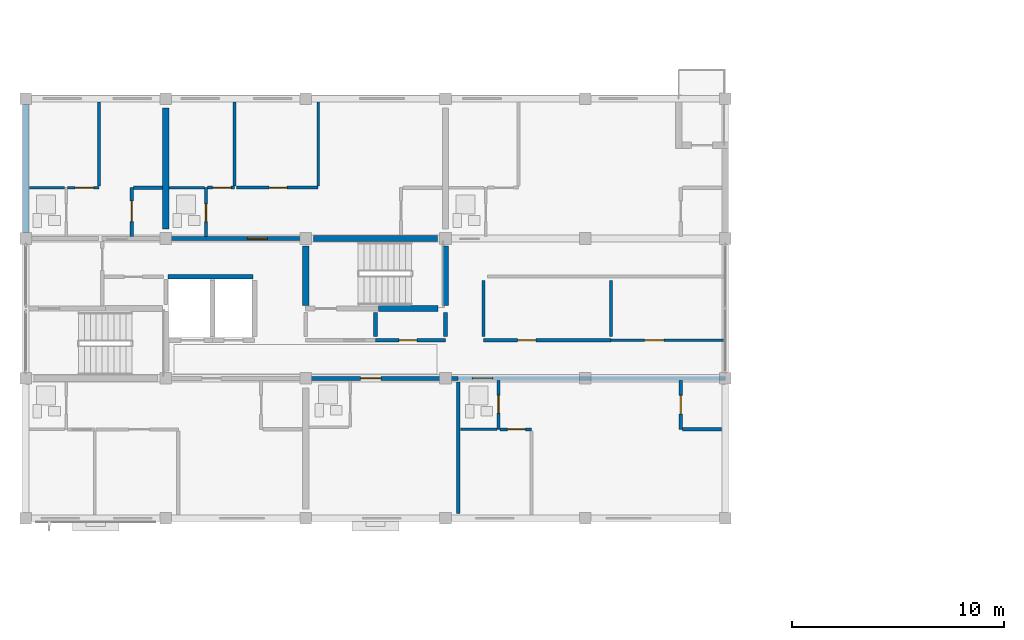
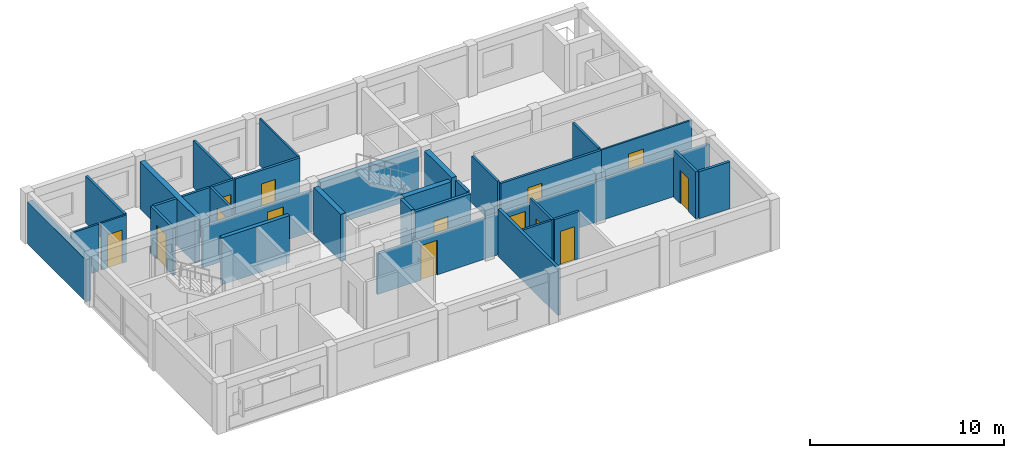
# One storey, part 35 of 53: 34 walls, 14 doors, 14 openings.
"""IFC4 building model written with IfcOpenShell, lengths in metres."""

from ifc_helpers import new_model, si_unit, direction, frame, frame_2d, origin, place, context, subcontext, project, spatial, rectangle, extrude, material, layer, layer_set, type_object, element, fill, save


model = new_model("IFC4")

# Units and contexts
model_context = context("Model", 3, precision=1e-05, world=origin(), true_north=direction((0.0, 1.0)))
body_context = subcontext(model_context, "Body", "Model", "MODEL_VIEW")
ifc_project = project(units=[si_unit("LENGTHUNIT", "METRE"), si_unit("AREAUNIT", "SQUARE_METRE"), si_unit("VOLUMEUNIT", "CUBIC_METRE"), si_unit("PLANEANGLEUNIT", "RADIAN"), si_unit("MASSUNIT", "GRAM", prefix="KILO")], contexts=[model_context])

# Site, building, storey
site_placement = place(None, origin())
site = spatial("IfcSite", under=ifc_project, at=site_placement, CompositionType="ELEMENT")
building_placement = place(site_placement, origin())
building = spatial("IfcBuilding", under=site, at=building_placement, Name="Kernevlak Ridge Housing Community", CompositionType="ELEMENT")
storey_placement = place(building_placement, frame((0.0, 0.0, 18.0)))
storey = spatial("IfcBuildingStorey", under=building, at=storey_placement, Name="L05", CompositionType="ELEMENT", Elevation=18.0)

# Walls
ifc_material_1 = material(Name="Concrete block masonry M10", Category="masonry")
ifc_layer_1 = layer(ifc_material_1, 0.320068359375, Name="Concrete block masonry M10")
ifc_layer_set_1 = layer_set([ifc_layer_1], Name="Concrete block masonry M10")
wall_type_1 = type_object("IfcWallType", Name="EW-02", PredefinedType="STANDARD", material=ifc_layer_set_1)
wall_1_placement = place(storey_placement, frame((15.60009765625, 89.47509765625, 0.0), z_axis=(0.0, 0.0, 1.0), x_axis=(0.0, 1.0, 0.0)))
element("IfcWall", 1, at=wall_1_placement, inside=storey, type_object=wall_type_1, Name="Exterior wall EW-02 L05 90", PredefinedType="STANDARD", context=body_context, shape_type="SweptSolid", body=[
    extrude(rectangle(XDim=6.0498046875, YDim=0.320068359375, at=frame_2d((3.02490234375, 0.0))), origin(), (0.0, 0.0, 1.0), 2.64990234375),
])
ifc_material_2 = material(Name="Concrete C35/45", Category="concrete")
ifc_layer_2 = layer(ifc_material_2, 0.22509765625, Name="Concrete C35/45")
ifc_layer_set_2 = layer_set([ifc_layer_2], Name="Concrete C35/45")
wall_type_2 = type_object("IfcWallType", Name="PW-01", PredefinedType="STANDARD", material=ifc_layer_set_2)
wall_2_placement = place(storey_placement, frame((22.297607421875, 87.39990234375, 0.0), z_axis=(0.0, 0.0, 1.0), x_axis=(1.0, 0.0, 0.0)))
element("IfcWall", 2, at=wall_2_placement, inside=storey, type_object=wall_type_2, Name="Interior wall PW-01 WAL-INT-L05-0315", PredefinedType="STANDARD", context=body_context, shape_type="SweptSolid", body=[
    extrude(rectangle(XDim=4.0224609375, YDim=0.22509765625, at=frame_2d((2.01123046875, 0.0))), origin(), (0.0, 0.0, 1.0), 2.9599609375),
])

# Wall, opening, door
ifc_layer_3 = layer(ifc_material_1, 0.175048828125, Name="Concrete block masonry M10")
ifc_layer_set_3 = layer_set([ifc_layer_3], Name="Concrete block masonry M10")
wall_type_3 = type_object("IfcWallType", Name="PW-02", PredefinedType="PARTITIONING", material=ifc_layer_set_3)
wall_3_placement = place(storey_placement, frame((32.10009765625, 84.39990234375, 0.0), z_axis=(0.0, 0.0, 1.0), x_axis=(1.0, 0.0, 0.0)))
wall_3 = element("IfcWall", 3, at=wall_3_placement, inside=storey, type_object=wall_type_3, Name="Interior wall PW-02 WAL-INT-L05-0321", PredefinedType="PARTITIONING", context=body_context, shape_type="SweptSolid", body=[
    extrude(rectangle(XDim=3.2998046875, YDim=0.175048828125, at=frame_2d((1.64990234375, 0.0))), origin(), (0.0, 0.0, 1.0), 2.9599609375),
])
opening_1_placement = place(wall_3_placement, frame((1.10009765625, 0.0, 0.0)))
opening_1 = element("IfcOpeningElement", 4, at=opening_1_placement, cuts=wall_3, Name="Opening D161", PredefinedType="OPENING", context=body_context, shape_type="SweptSolid", body=[
    extrude(rectangle(XDim=0.85009765625, YDim=2.0, at=frame_2d((0.425048828125, 1.0))), frame((0.0, 0.097412109375, 0.0), z_axis=(0.0, -1.0, 0.0), x_axis=(1.0, 0.0, 0.0)), (0.0, 0.0, 1.0), 0.195068359375),
])
ifc_material_3 = material(Name="Fire-rated sheet steel leaf", Category="steel")
door_type_1 = type_object("IfcDoorType", Name="DT-07", OperationType="NOTDEFINED", PredefinedType="DOOR", material=ifc_material_3)
door_1_placement = place(opening_1_placement, origin())
door_1 = element("IfcDoor", 5, at=door_1_placement, inside=storey, type_object=door_type_1, Name="Block A Cleaner store door D161", OperationType="SINGLE_SWING_LEFT", OverallHeight=2.0, OverallWidth=0.85009765625, PredefinedType="DOOR", context=body_context, shape_type="SweptSolid", body=[
    extrude(rectangle(XDim=0.85009765625, YDim=2.0, at=frame_2d((0.425048828125, 1.0))), frame((0.0, 0.02490234375, 0.0), z_axis=(0.0, -1.0, 0.0), x_axis=(1.0, 0.0, 0.0)), (0.0, 0.0, 1.0), 0.050048828125),
])
fill(opening_1, door_1)

# Walls
for number, where, z_axis, x_axis, name in (
    (6, (32.10009765625, 84.580078125, 0.0), (0.0, 0.0, 1.0), (0.0, 1.0, 0.0), "Interior wall PW-02 WAL-INT-L05-0323"),
    (7, (35.39990234375, 84.580078125, 0.0), (0.0, 0.0, 1.0), (0.0, 1.0, 0.0), "Interior wall PW-02 WAL-INT-L05-0324"),
):
    element("IfcWall", number, at=place(storey_placement, frame(where, z_axis=z_axis, x_axis=x_axis)), inside=storey, type_object=wall_type_3, Name=name, PredefinedType="PARTITIONING", context=body_context, shape_type="SweptSolid", body=[
        extrude(rectangle(XDim=1.139892578125, YDim=0.175048828125, at=frame_2d((0.56982421875, 0.0))), origin(), (0.0, 0.0, 1.0), 2.9599609375),
    ])

# Wall, opening, door
wall_4_placement = place(storey_placement, frame((28.800048828125, 82.60009765625, 0.0), z_axis=(0.0, 0.0, 1.0), x_axis=(1.0, 0.0, 0.0)))
wall_4 = element("IfcWall", 8, at=wall_4_placement, inside=storey, type_object=wall_type_3, Name="Interior wall PW-02 WAL-INT-L05-0339", PredefinedType="PARTITIONING", context=body_context, shape_type="SweptSolid", body=[
    extrude(rectangle(XDim=7.199951171875, YDim=0.175048828125, at=frame_2d((3.60009765625, 0.0))), origin(), (0.0, 0.0, 1.0), 2.550048828125),
])
opening_2_placement = place(wall_4_placement, frame((2.60009765625, 0.0, 0.0)))
opening_2 = element("IfcOpeningElement", 9, at=opening_2_placement, cuts=wall_4, Name="Opening D169", PredefinedType="OPENING", context=body_context, shape_type="SweptSolid", body=[
    extrude(rectangle(XDim=0.9599609375, YDim=2.179931640625, at=frame_2d((0.47998046875, 1.08984375))), frame((0.0, 0.097412109375, 0.0), z_axis=(0.0, -1.0, 0.0), x_axis=(1.0, 0.0, 0.0)), (0.0, 0.0, 1.0), 0.195068359375),
])
ifc_material_4 = material(Name="Hardwood timber solid-core fire leaf", Category="wood")
door_type_2 = type_object("IfcDoorType", Name="DT-29", OperationType="NOTDEFINED", PredefinedType="DOOR", material=ifc_material_4)
door_2_placement = place(opening_2_placement, origin())
door_2 = element("IfcDoor", 10, at=door_2_placement, inside=storey, type_object=door_type_2, Name="Flat A0512 entrance fire door D169", OperationType="SINGLE_SWING_LEFT", OverallHeight=2.179931640625, OverallWidth=0.9599609375, PredefinedType="DOOR", context=body_context, shape_type="SweptSolid", body=[
    extrude(rectangle(XDim=0.9599609375, YDim=2.179931640625, at=frame_2d((0.47998046875, 1.08984375))), frame((0.0, 0.02490234375, 0.0), z_axis=(0.0, -1.0, 0.0), x_axis=(1.0, 0.0, 0.0)), (0.0, 0.0, 1.0), 0.050048828125),
])
fill(opening_2, door_2)

# Wall
wall_5_placement = place(storey_placement, frame((36.0, 82.419921875, 0.0), z_axis=(0.0, 0.0, 1.0), x_axis=(0.0, -1.0, 0.0)))
element("IfcWall", 11, at=wall_5_placement, inside=storey, type_object=wall_type_3, Name="Interior wall PW-02 WAL-INT-L05-0342", PredefinedType="PARTITIONING", context=body_context, shape_type="SweptSolid", body=[
    extrude(rectangle(XDim=6.18994140625, YDim=0.175048828125, at=frame_2d((3.094970703125, 0.0))), origin(), (0.0, 0.0, 1.0), 2.9599609375),
])

# Wall, opening, door
wall_6_placement = place(storey_placement, frame((36.0, 82.60009765625, 0.0), z_axis=(0.0, 0.0, 1.0), x_axis=(1.0, 0.0, 0.0)))
wall_6 = element("IfcWall", 12, at=wall_6_placement, inside=storey, type_object=wall_type_3, Name="Interior wall PW-02 WAL-INT-L05-0343", PredefinedType="PARTITIONING", context=body_context, shape_type="SweptSolid", body=[
    extrude(rectangle(XDim=12.60009765625, YDim=0.175048828125, at=frame_2d((6.300048828125, 0.0))), origin(), (0.0, 0.0, 1.0), 2.550048828125),
])
opening_3_placement = place(wall_6_placement, frame((0.669921875, 0.0, 0.0)))
opening_3 = element("IfcOpeningElement", 13, at=opening_3_placement, cuts=wall_6, Name="Opening D171", PredefinedType="OPENING", context=body_context, shape_type="SweptSolid", body=[
    extrude(rectangle(XDim=0.949951171875, YDim=2.159912109375, at=frame_2d((0.47509765625, 1.080078125))), frame((0.0, 0.097412109375, 0.0), z_axis=(0.0, -1.0, 0.0), x_axis=(1.0, 0.0, 0.0)), (0.0, 0.0, 1.0), 0.195068359375),
])
door_type_3 = type_object("IfcDoorType", Name="DT-02", OperationType="NOTDEFINED", PredefinedType="DOOR", material=ifc_material_4)
door_3_placement = place(opening_3_placement, origin())
door_3 = element("IfcDoor", 14, at=door_3_placement, inside=storey, type_object=door_type_3, Name="Flat A0513 entrance fire door D171", OperationType="SINGLE_SWING_LEFT", OverallHeight=2.159912109375, OverallWidth=0.949951171875, PredefinedType="DOOR", context=body_context, shape_type="SweptSolid", body=[
    extrude(rectangle(XDim=0.949951171875, YDim=2.159912109375, at=frame_2d((0.47509765625, 1.080078125))), frame((0.0, 0.02490234375, 0.0), z_axis=(0.0, -1.0, 0.0), x_axis=(1.0, 0.0, 0.0)), (0.0, 0.0, 1.0), 0.050048828125),
])
fill(opening_3, door_3)

wall_7_placement = place(storey_placement, frame((22.199951171875, 89.199951171875, 0.0), z_axis=(0.0, 0.0, 1.0), x_axis=(1.0, 0.0, 0.0)))
wall_7 = element("IfcWall", 15, at=wall_7_placement, inside=storey, type_object=wall_type_3, Name="Interior wall PW-02 WAL-INT-L05-0358", PredefinedType="PARTITIONING", context=body_context, shape_type="SweptSolid", body=[
    extrude(rectangle(XDim=6.60009765625, YDim=0.175048828125, at=frame_2d((3.300048828125, 0.0))), origin(), (0.0, 0.0, 1.0), 2.550048828125),
])
opening_4_placement = place(wall_7_placement, frame((3.85009765625, 0.0, 0.0)))
opening_4 = element("IfcOpeningElement", 16, at=opening_4_placement, cuts=wall_7, Name="Opening D179", PredefinedType="OPENING", context=body_context, shape_type="SweptSolid", body=[
    extrude(rectangle(XDim=0.949951171875, YDim=2.159912109375, at=frame_2d((0.47509765625, 1.080078125))), frame((0.0, 0.097412109375, 0.0), z_axis=(0.0, -1.0, 0.0), x_axis=(1.0, 0.0, 0.0)), (0.0, 0.0, 1.0), 0.195068359375),
])
door_4_placement = place(opening_4_placement, origin())
door_4 = element("IfcDoor", 17, at=door_4_placement, inside=storey, type_object=door_type_3, Name="Flat A0522 entrance fire door D179", OperationType="SINGLE_SWING_LEFT", OverallHeight=2.159912109375, OverallWidth=0.949951171875, PredefinedType="DOOR", context=body_context, shape_type="SweptSolid", body=[
    extrude(rectangle(XDim=0.949951171875, YDim=2.159912109375, at=frame_2d((0.47509765625, 1.080078125))), frame((0.0, 0.02490234375, 0.0), z_axis=(0.0, -1.0, 0.0), x_axis=(1.0, 0.0, 0.0)), (0.0, 0.0, 1.0), 0.050048828125),
])
fill(opening_4, door_4)

ifc_layer_4 = layer(ifc_material_1, 0.14501953125, Name="Concrete block masonry M10")
ifc_layer_set_4 = layer_set([ifc_layer_4], Name="Concrete block masonry M10")
wall_type_4 = type_object("IfcWallType", Name="PW-03", PredefinedType="PARTITIONING", material=ifc_layer_set_4)
wall_8_placement = place(storey_placement, frame((37.199951171875, 84.39990234375, 0.0), z_axis=(0.0, 0.0, 1.0), x_axis=(1.0, 0.0, 0.0)))
wall_8 = element("IfcWall", 18, at=wall_8_placement, inside=storey, type_object=wall_type_4, Name="Interior wall PW-03 WAL-INT-L05-0325", PredefinedType="PARTITIONING", context=body_context, shape_type="SweptSolid", body=[
    extrude(rectangle(XDim=6.0, YDim=0.14501953125, at=frame_2d((3.0, 0.0))), origin(), (0.0, 0.0, 1.0), 2.9599609375),
])
opening_5_placement = place(wall_8_placement, frame((1.60009765625, 0.0, 0.0)))
opening_5 = element("IfcOpeningElement", 19, at=opening_5_placement, cuts=wall_8, Name="Opening D162", PredefinedType="OPENING", context=body_context, shape_type="SweptSolid", body=[
    extrude(rectangle(XDim=0.860107421875, YDim=2.1201171875, at=frame_2d((0.43017578125, 1.06005859375))), frame((0.0, 0.08251953125, 0.0), z_axis=(0.0, -1.0, 0.0), x_axis=(1.0, 0.0, 0.0)), (0.0, 0.0, 1.0), 0.1650390625),
])
ifc_material_5 = material(Name="Hardwood timber leaf", Category="wood")
door_type_4 = type_object("IfcDoorType", Name="DT-28", OperationType="NOTDEFINED", PredefinedType="DOOR", material=ifc_material_5)
door_5_placement = place(opening_5_placement, origin())
door_5 = element("IfcDoor", 20, at=door_5_placement, inside=storey, type_object=door_type_4, Name="Block A Laundry room door D162", OperationType="SINGLE_SWING_RIGHT", OverallHeight=2.1201171875, OverallWidth=0.860107421875, PredefinedType="DOOR", context=body_context, shape_type="SweptSolid", body=[
    extrude(rectangle(XDim=0.860107421875, YDim=2.1201171875, at=frame_2d((0.43017578125, 1.06005859375))), frame((0.0, 0.02490234375, 0.0), z_axis=(0.0, -1.0, 0.0), x_axis=(1.0, 0.0, 0.0)), (0.0, 0.0, 1.0), 0.050048828125),
])
fill(opening_5, door_5)

# Walls
for number, where, z_axis, x_axis, name in (
    (21, (43.199951171875, 84.580078125, 0.0), (0.0, 0.0, 1.0), (0.0, 1.0, 0.0), "Interior wall PW-03 WAL-INT-L05-0327"),
    (22, (37.199951171875, 84.580078125, 0.0), (0.0, 0.0, 1.0), (0.0, 1.0, 0.0), "Interior wall PW-03 WAL-INT-L05-0329"),
):
    element("IfcWall", number, at=place(storey_placement, frame(where, z_axis=z_axis, x_axis=x_axis)), inside=storey, type_object=wall_type_4, Name=name, PredefinedType="PARTITIONING", context=body_context, shape_type="SweptSolid", body=[
        extrude(rectangle(XDim=2.639892578125, YDim=0.14501953125, at=frame_2d((1.31982421875, 0.0))), origin(), (0.0, 0.0, 1.0), 2.9599609375),
    ])

# Wall, opening, door
wall_9_placement = place(storey_placement, frame((37.972412109375, 80.199951171875, 0.0), z_axis=(0.0, 0.0, 1.0), x_axis=(1.0, 0.0, 0.0)))
wall_9 = element("IfcWall", 23, at=wall_9_placement, inside=storey, type_object=wall_type_4, Name="Interior wall PW-03 WAL-INT-L05-0348", PredefinedType="PARTITIONING", context=body_context, shape_type="SweptSolid", body=[
    extrude(rectangle(XDim=1.4775390625, YDim=0.14501953125, at=frame_2d((0.73876953125, 0.0))), origin(), (0.0, 0.0, 1.0), 2.9599609375),
])
opening_6_placement = place(wall_9_placement, frame((0.35009765625, 0.0, 0.0)))
opening_6 = element("IfcOpeningElement", 24, at=opening_6_placement, cuts=wall_9, Name="Opening D174", PredefinedType="OPENING", context=body_context, shape_type="SweptSolid", body=[
    extrude(rectangle(XDim=0.85009765625, YDim=2.10009765625, at=frame_2d((0.425048828125, 1.050048828125))), frame((0.0, 0.08251953125, 0.0), z_axis=(0.0, -1.0, 0.0), x_axis=(1.0, 0.0, 0.0)), (0.0, 0.0, 1.0), 0.1650390625),
])
door_type_5 = type_object("IfcDoorType", Name="DT-03", OperationType="NOTDEFINED", PredefinedType="DOOR", material=ifc_material_5)
door_6_placement = place(opening_6_placement, origin())
door_6 = element("IfcDoor", 25, at=door_6_placement, inside=storey, type_object=door_type_5, Name="Flat A0513 bedroom door D174", OperationType="SINGLE_SWING_RIGHT", OverallHeight=2.10009765625, OverallWidth=0.85009765625, PredefinedType="DOOR", context=body_context, shape_type="SweptSolid", body=[
    extrude(rectangle(XDim=0.85009765625, YDim=2.10009765625, at=frame_2d((0.425048828125, 1.050048828125))), frame((0.0, 0.02490234375, 0.0), z_axis=(0.0, -1.0, 0.0), x_axis=(1.0, 0.0, 0.0)), (0.0, 0.0, 1.0), 0.050048828125),
])
fill(opening_6, door_6)

# Wall
wall_10_placement = place(storey_placement, frame((19.050048828125, 91.679931640625, 0.0), z_axis=(0.0, 0.0, 1.0), x_axis=(0.0, 1.0, 0.0)))
element("IfcWall", 26, at=wall_10_placement, inside=storey, type_object=wall_type_4, Name="Interior wall PW-03 WAL-INT-L05-0357", PredefinedType="PARTITIONING", context=body_context, shape_type="SweptSolid", body=[
    extrude(rectangle(XDim=3.949951171875, YDim=0.14501953125, at=frame_2d((1.97509765625, 0.0))), origin(), (0.0, 0.0, 1.0), 2.9599609375),
])

# Wall, opening, door
wall_11_placement = place(storey_placement, frame((24.172607421875, 91.60009765625, 0.0), z_axis=(0.0, 0.0, 1.0), x_axis=(1.0, 0.0, 0.0)))
wall_11 = element("IfcWall", 27, at=wall_11_placement, inside=storey, type_object=wall_type_4, Name="Interior wall PW-03 WAL-INT-L05-0363", PredefinedType="PARTITIONING", context=body_context, shape_type="SweptSolid", body=[
    extrude(rectangle(XDim=1.27734375, YDim=0.14501953125, at=frame_2d((0.638671875, 0.0))), origin(), (0.0, 0.0, 1.0), 2.9599609375),
])
opening_7_placement = place(wall_11_placement, frame((0.237548828125, 0.0, 0.0)))
opening_7 = element("IfcOpeningElement", 28, at=opening_7_placement, cuts=wall_11, Name="Opening D182", PredefinedType="OPENING", context=body_context, shape_type="SweptSolid", body=[
    extrude(rectangle(XDim=0.8701171875, YDim=2.080078125, at=frame_2d((0.43505859375, 1.0400390625))), frame((0.0, 0.08251953125, 0.0), z_axis=(0.0, -1.0, 0.0), x_axis=(1.0, 0.0, 0.0)), (0.0, 0.0, 1.0), 0.1650390625),
])
door_type_6 = type_object("IfcDoorType", Name="DT-32", OperationType="NOTDEFINED", PredefinedType="DOOR", material=ifc_material_5)
door_7_placement = place(opening_7_placement, origin())
door_7 = element("IfcDoor", 29, at=door_7_placement, inside=storey, type_object=door_type_6, Name="Flat A0522 bedroom door D182", OperationType="SINGLE_SWING_RIGHT", OverallHeight=2.080078125, OverallWidth=0.8701171875, PredefinedType="DOOR", context=body_context, shape_type="SweptSolid", body=[
    extrude(rectangle(XDim=0.8701171875, YDim=2.080078125, at=frame_2d((0.43505859375, 1.0400390625))), frame((0.0, 0.02490234375, 0.0), z_axis=(0.0, -1.0, 0.0), x_axis=(1.0, 0.0, 0.0)), (0.0, 0.0, 1.0), 0.050048828125),
])
fill(opening_7, door_7)

# Wall
wall_12_placement = place(storey_placement, frame((25.449951171875, 91.6826171875, 0.0), z_axis=(0.0, 0.0, 1.0), x_axis=(0.0, 1.0, 0.0)))
element("IfcWall", 30, at=wall_12_placement, inside=storey, type_object=wall_type_4, Name="Interior wall PW-03 WAL-INT-L05-0364", PredefinedType="PARTITIONING", context=body_context, shape_type="SweptSolid", body=[
    extrude(rectangle(XDim=3.947265625, YDim=0.14501953125, at=frame_2d((1.9736328125, 0.0))), origin(), (0.0, 0.0, 1.0), 2.9599609375),
])

# Wall, opening, door
wall_13_placement = place(storey_placement, frame((25.532470703125, 91.60009765625, 0.0), z_axis=(0.0, 0.0, 1.0), x_axis=(1.0, 0.0, 0.0)))
wall_13 = element("IfcWall", 31, at=wall_13_placement, inside=storey, type_object=wall_type_4, Name="Interior wall PW-03 WAL-INT-L05-0365", PredefinedType="PARTITIONING", context=body_context, shape_type="SweptSolid", body=[
    extrude(rectangle(XDim=3.859619140625, YDim=0.14501953125, at=frame_2d((1.9296875, 0.0))), origin(), (0.0, 0.0, 1.0), 2.9599609375),
])
opening_8_placement = place(wall_13_placement, frame((1.5458984375, 0.0, 0.0)))
opening_8 = element("IfcOpeningElement", 32, at=opening_8_placement, cuts=wall_13, Name="Opening D183", PredefinedType="OPENING", context=body_context, shape_type="SweptSolid", body=[
    extrude(rectangle(XDim=0.85009765625, YDim=2.10009765625, at=frame_2d((0.425048828125, 1.050048828125))), frame((0.0, 0.08251953125, 0.0), z_axis=(0.0, -1.0, 0.0), x_axis=(1.0, 0.0, 0.0)), (0.0, 0.0, 1.0), 0.1650390625),
])
door_8_placement = place(opening_8_placement, origin())
door_8 = element("IfcDoor", 33, at=door_8_placement, inside=storey, type_object=door_type_5, Name="Flat A0522 bedroom door D183", OperationType="SINGLE_SWING_LEFT", OverallHeight=2.10009765625, OverallWidth=0.85009765625, PredefinedType="DOOR", context=body_context, shape_type="SweptSolid", body=[
    extrude(rectangle(XDim=0.85009765625, YDim=2.10009765625, at=frame_2d((0.425048828125, 1.050048828125))), frame((0.0, 0.02490234375, 0.0), z_axis=(0.0, -1.0, 0.0), x_axis=(1.0, 0.0, 0.0)), (0.0, 0.0, 1.0), 0.050048828125),
])
fill(opening_8, door_8)

ifc_material_6 = material(Name="Gypsum plasterboard EN 520", Category="gypsum")
ifc_layer_5 = layer(ifc_material_6, 0.125, Name="Gypsum plasterboard EN 520")
ifc_layer_set_5 = layer_set([ifc_layer_5], Name="Gypsum plasterboard EN 520")
wall_type_5 = type_object("IfcWallType", Name="PW-04", PredefinedType="PARTITIONING", material=ifc_layer_set_5)
wall_14_placement = place(storey_placement, frame((37.89990234375, 82.50244140625, 0.0), z_axis=(0.0, 0.0, 1.0), x_axis=(0.0, -1.0, 0.0)))
wall_14 = element("IfcWall", 34, at=wall_14_placement, inside=storey, type_object=wall_type_5, Name="Interior wall PW-04 WAL-INT-L05-0344", PredefinedType="PARTITIONING", context=body_context, shape_type="SweptSolid", body=[
    extrude(rectangle(XDim=2.302490234375, YDim=0.125, at=frame_2d((1.1513671875, 0.0))), origin(), (0.0, 0.0, 1.0), 2.9599609375),
])
opening_9_placement = place(wall_14_placement, frame((0.699951171875, 0.0, 0.0)))
opening_9 = element("IfcOpeningElement", 35, at=opening_9_placement, cuts=wall_14, Name="Opening D172", PredefinedType="OPENING", context=body_context, shape_type="SweptSolid", body=[
    extrude(rectangle(XDim=0.840087890625, YDim=2.06005859375, at=frame_2d((0.419921875, 1.030029296875))), frame((0.0, 0.072509765625, 0.0), z_axis=(0.0, -1.0, 0.0), x_axis=(1.0, 0.0, 0.0)), (0.0, 0.0, 1.0), 0.14501953125),
])
ifc_material_7 = material(Name="Hardwood timber moisture-resistant leaf", Category="wood")
door_type_7 = type_object("IfcDoorType", Name="DT-27", OperationType="NOTDEFINED", PredefinedType="DOOR", material=ifc_material_7)
door_9_placement = place(opening_9_placement, origin())
door_9 = element("IfcDoor", 36, at=door_9_placement, inside=storey, type_object=door_type_7, Name="Flat A0513 bathroom door D172", OperationType="SINGLE_SWING_RIGHT", OverallHeight=2.06005859375, OverallWidth=0.840087890625, PredefinedType="DOOR", context=body_context, shape_type="SweptSolid", body=[
    extrude(rectangle(XDim=0.840087890625, YDim=2.06005859375, at=frame_2d((0.419921875, 1.030029296875))), frame((0.0, 0.02490234375, 0.0), z_axis=(0.0, -1.0, 0.0), x_axis=(1.0, 0.0, 0.0)), (0.0, 0.0, 1.0), 0.050048828125),
])
fill(opening_9, door_9)

# Walls
wall_15_placement = place(storey_placement, frame((36.097412109375, 80.199951171875, 0.0), z_axis=(0.0, 0.0, 1.0), x_axis=(1.0, 0.0, 0.0)))
element("IfcWall", 37, at=wall_15_placement, inside=storey, type_object=wall_type_5, Name="Interior wall PW-04 WAL-INT-L05-0345", PredefinedType="PARTITIONING", context=body_context, shape_type="SweptSolid", body=[
    extrude(rectangle(XDim=1.72265625, YDim=0.125, at=frame_2d((0.861328125, 0.0))), origin(), (0.0, 0.0, 1.0), 2.9599609375),
])
wall_16_placement = place(storey_placement, frame((15.77001953125, 91.60009765625, 0.0), z_axis=(0.0, 0.0, 1.0), x_axis=(1.0, 0.0, 0.0)))
element("IfcWall", 38, at=wall_16_placement, inside=storey, type_object=wall_type_5, Name="Interior wall PW-04 WAL-INT-L05-0353", PredefinedType="PARTITIONING", context=body_context, shape_type="SweptSolid", body=[
    extrude(rectangle(XDim=1.64990234375, YDim=0.125, at=frame_2d((0.824951171875, 0.0))), origin(), (0.0, 0.0, 1.0), 2.9599609375),
])

# Wall, opening, door
wall_17_placement = place(storey_placement, frame((24.10009765625, 89.297607421875, 0.0), z_axis=(0.0, 0.0, 1.0), x_axis=(0.0, 1.0, 0.0)))
wall_17 = element("IfcWall", 39, at=wall_17_placement, inside=storey, type_object=wall_type_5, Name="Interior wall PW-04 WAL-INT-L05-0359", PredefinedType="PARTITIONING", context=body_context, shape_type="SweptSolid", body=[
    extrude(rectangle(XDim=2.302490234375, YDim=0.125, at=frame_2d((1.1513671875, 0.0))), origin(), (0.0, 0.0, 1.0), 2.9599609375),
])
opening_10_placement = place(wall_17_placement, frame((0.699951171875, 0.0, 0.0)))
opening_10 = element("IfcOpeningElement", 40, at=opening_10_placement, cuts=wall_17, Name="Opening D180", PredefinedType="OPENING", context=body_context, shape_type="SweptSolid", body=[
    extrude(rectangle(XDim=0.840087890625, YDim=2.06005859375, at=frame_2d((0.419921875, 1.030029296875))), frame((0.0, 0.072509765625, 0.0), z_axis=(0.0, -1.0, 0.0), x_axis=(1.0, 0.0, 0.0)), (0.0, 0.0, 1.0), 0.14501953125),
])
door_10_placement = place(opening_10_placement, origin())
door_10 = element("IfcDoor", 41, at=door_10_placement, inside=storey, type_object=door_type_7, Name="Flat A0522 bathroom door D180", OperationType="SINGLE_SWING_RIGHT", OverallHeight=2.06005859375, OverallWidth=0.840087890625, PredefinedType="DOOR", context=body_context, shape_type="SweptSolid", body=[
    extrude(rectangle(XDim=0.840087890625, YDim=2.06005859375, at=frame_2d((0.419921875, 1.030029296875))), frame((0.0, 0.02490234375, 0.0), z_axis=(0.0, -1.0, 0.0), x_axis=(1.0, 0.0, 0.0)), (0.0, 0.0, 1.0), 0.050048828125),
])
fill(opening_10, door_10)

# Wall
wall_18_placement = place(storey_placement, frame((22.360107421875, 91.60009765625, 0.0), z_axis=(0.0, 0.0, 1.0), x_axis=(1.0, 0.0, 0.0)))
element("IfcWall", 42, at=wall_18_placement, inside=storey, type_object=wall_type_5, Name="Interior wall PW-04 WAL-INT-L05-0360", PredefinedType="PARTITIONING", context=body_context, shape_type="SweptSolid", body=[
    extrude(rectangle(XDim=1.659912109375, YDim=0.125, at=frame_2d((0.830078125, 0.0))), origin(), (0.0, 0.0, 1.0), 2.9599609375),
])

# Wall, opening, door
ifc_layer_6 = layer(ifc_material_6, 0.155029296875, Name="Gypsum plasterboard EN 520")
ifc_layer_set_6 = layer_set([ifc_layer_6], Name="Gypsum plasterboard EN 520")
wall_type_6 = type_object("IfcWallType", Name="PW-05", PredefinedType="PARTITIONING", material=ifc_layer_set_6)
wall_19_placement = place(storey_placement, frame((46.5, 82.50244140625, 0.0), z_axis=(0.0, 0.0, 1.0), x_axis=(0.0, -1.0, 0.0)))
wall_19 = element("IfcWall", 43, at=wall_19_placement, inside=storey, type_object=wall_type_6, Name="Interior wall PW-05 WAL-INT-L05-0346", PredefinedType="PARTITIONING", context=body_context, shape_type="SweptSolid", body=[
    extrude(rectangle(XDim=2.302490234375, YDim=0.155029296875, at=frame_2d((1.1513671875, 0.0))), origin(), (0.0, 0.0, 1.0), 2.9599609375),
])
opening_11_placement = place(wall_19_placement, frame((0.699951171875, 0.0, 0.0)))
opening_11 = element("IfcOpeningElement", 44, at=opening_11_placement, cuts=wall_19, Name="Opening D173", PredefinedType="OPENING", context=body_context, shape_type="SweptSolid", body=[
    extrude(rectangle(XDim=0.8701171875, YDim=2.080078125, at=frame_2d((0.43505859375, 1.0400390625))), frame((0.0, 0.08740234375, 0.0), z_axis=(0.0, -1.0, 0.0), x_axis=(1.0, 0.0, 0.0)), (0.0, 0.0, 1.0), 0.175048828125),
])
door_11_placement = place(opening_11_placement, origin())
door_11 = element("IfcDoor", 45, at=door_11_placement, inside=storey, type_object=door_type_6, Name="Flat A0513 kitchen door D173", OperationType="SINGLE_SWING_LEFT", OverallHeight=2.080078125, OverallWidth=0.8701171875, PredefinedType="DOOR", context=body_context, shape_type="SweptSolid", body=[
    extrude(rectangle(XDim=0.8701171875, YDim=2.080078125, at=frame_2d((0.43505859375, 1.0400390625))), frame((0.0, 0.02490234375, 0.0), z_axis=(0.0, -1.0, 0.0), x_axis=(1.0, 0.0, 0.0)), (0.0, 0.0, 1.0), 0.050048828125),
])
fill(opening_11, door_11)

# Wall
wall_20_placement = place(storey_placement, frame((46.58740234375, 80.199951171875, 0.0), z_axis=(0.0, 0.0, 1.0), x_axis=(1.0, 0.0, 0.0)))
element("IfcWall", 46, at=wall_20_placement, inside=storey, type_object=wall_type_6, Name="Interior wall PW-05 WAL-INT-L05-0347", PredefinedType="PARTITIONING", context=body_context, shape_type="SweptSolid", body=[
    extrude(rectangle(XDim=1.842529296875, YDim=0.155029296875, at=frame_2d((0.92138671875, 0.0))), origin(), (0.0, 0.0, 1.0), 2.9599609375),
])

# Wall, opening, door
wall_21_placement = place(storey_placement, frame((20.60009765625, 89.297607421875, 0.0), z_axis=(0.0, 0.0, 1.0), x_axis=(0.0, 1.0, 0.0)))
wall_21 = element("IfcWall", 47, at=wall_21_placement, inside=storey, type_object=wall_type_6, Name="Interior wall PW-05 WAL-INT-L05-0354", PredefinedType="PARTITIONING", context=body_context, shape_type="SweptSolid", body=[
    extrude(rectangle(XDim=2.302490234375, YDim=0.155029296875, at=frame_2d((1.1513671875, 0.0))), origin(), (0.0, 0.0, 1.0), 2.9599609375),
])
opening_12_placement = place(wall_21_placement, frame((0.699951171875, 0.0, 0.0)))
opening_12 = element("IfcOpeningElement", 48, at=opening_12_placement, cuts=wall_21, Name="Opening D177", PredefinedType="OPENING", context=body_context, shape_type="SweptSolid", body=[
    extrude(rectangle(XDim=0.97998046875, YDim=2.1201171875, at=frame_2d((0.489990234375, 1.06005859375))), frame((0.0, 0.08740234375, 0.0), z_axis=(0.0, -1.0, 0.0), x_axis=(1.0, 0.0, 0.0)), (0.0, 0.0, 1.0), 0.175048828125),
])
door_type_8 = type_object("IfcDoorType", Name="DT-24", OperationType="NOTDEFINED", PredefinedType="DOOR", material=ifc_material_5)
door_12_placement = place(opening_12_placement, origin())
door_12 = element("IfcDoor", 49, at=door_12_placement, inside=storey, type_object=door_type_8, Name="Flat A0521 kitchen door D177", OperationType="SINGLE_SWING_LEFT", OverallHeight=2.1201171875, OverallWidth=0.97998046875, PredefinedType="DOOR", context=body_context, shape_type="SweptSolid", body=[
    extrude(rectangle(XDim=0.97998046875, YDim=2.1201171875, at=frame_2d((0.489990234375, 1.06005859375))), frame((0.0, 0.02490234375, 0.0), z_axis=(0.0, -1.0, 0.0), x_axis=(1.0, 0.0, 0.0)), (0.0, 0.0, 1.0), 0.050048828125),
])
fill(opening_12, door_12)

# Wall
wall_22_placement = place(storey_placement, frame((20.6875, 91.60009765625, 0.0), z_axis=(0.0, 0.0, 1.0), x_axis=(1.0, 0.0, 0.0)))
element("IfcWall", 50, at=wall_22_placement, inside=storey, type_object=wall_type_6, Name="Interior wall PW-05 WAL-INT-L05-0355", PredefinedType="PARTITIONING", context=body_context, shape_type="SweptSolid", body=[
    extrude(rectangle(XDim=1.3525390625, YDim=0.155029296875, at=frame_2d((0.67626953125, 0.0))), origin(), (0.0, 0.0, 1.0), 2.9599609375),
])

# Wall, opening, door
ifc_layer_7 = layer(ifc_material_6, 0.10498046875, Name="Gypsum plasterboard EN 520")
ifc_layer_set_7 = layer_set([ifc_layer_7], Name="Gypsum plasterboard EN 520")
wall_type_7 = type_object("IfcWallType", Name="PW-06", PredefinedType="PARTITIONING", material=ifc_layer_set_7)
wall_23_placement = place(storey_placement, frame((43.199951171875, 84.39990234375, 0.0), z_axis=(0.0, 0.0, 1.0), x_axis=(1.0, 0.0, 0.0)))
wall_23 = element("IfcWall", 51, at=wall_23_placement, inside=storey, type_object=wall_type_7, Name="Interior wall PW-06 WAL-INT-L05-0326", PredefinedType="PARTITIONING", context=body_context, shape_type="SweptSolid", body=[
    extrude(rectangle(XDim=5.400146484375, YDim=0.10498046875, at=frame_2d((2.7001953125, 0.0))), origin(), (0.0, 0.0, 1.0), 2.9599609375),
])
opening_13_placement = place(wall_23_placement, frame((1.60009765625, 0.0, 0.0)))
opening_13 = element("IfcOpeningElement", 52, at=opening_13_placement, cuts=wall_23, Name="Opening D163", PredefinedType="OPENING", context=body_context, shape_type="SweptSolid", body=[
    extrude(rectangle(XDim=0.909912109375, YDim=2.139892578125, at=frame_2d((0.455078125, 1.06982421875))), frame((0.0, 0.0625, 0.0), z_axis=(0.0, -1.0, 0.0), x_axis=(1.0, 0.0, 0.0)), (0.0, 0.0, 1.0), 0.125),
])
door_type_9 = type_object("IfcDoorType", Name="DT-31", OperationType="NOTDEFINED", PredefinedType="DOOR", material=ifc_material_5)
door_13_placement = place(opening_13_placement, origin())
door_13 = element("IfcDoor", 53, at=door_13_placement, inside=storey, type_object=door_type_9, Name="Block A Study room door D163", OperationType="SINGLE_SWING_LEFT", OverallHeight=2.139892578125, OverallWidth=0.909912109375, PredefinedType="DOOR", context=body_context, shape_type="SweptSolid", body=[
    extrude(rectangle(XDim=0.909912109375, YDim=2.139892578125, at=frame_2d((0.455078125, 1.06982421875))), frame((0.0, 0.02490234375, 0.0), z_axis=(0.0, -1.0, 0.0), x_axis=(1.0, 0.0, 0.0)), (0.0, 0.0, 1.0), 0.050048828125),
])
fill(opening_13, door_13)

wall_24_placement = place(storey_placement, frame((17.572509765625, 91.60009765625, 0.0), z_axis=(0.0, 0.0, 1.0), x_axis=(1.0, 0.0, 0.0)))
wall_24 = element("IfcWall", 54, at=wall_24_placement, inside=storey, type_object=wall_type_7, Name="Interior wall PW-06 WAL-INT-L05-0356", PredefinedType="PARTITIONING", context=body_context, shape_type="SweptSolid", body=[
    extrude(rectangle(XDim=1.4775390625, YDim=0.10498046875, at=frame_2d((0.73876953125, 0.0))), origin(), (0.0, 0.0, 1.0), 2.9599609375),
])
opening_14_placement = place(wall_24_placement, frame((0.35009765625, 0.0, 0.0)))
opening_14 = element("IfcOpeningElement", 55, at=opening_14_placement, cuts=wall_24, Name="Opening D178", PredefinedType="OPENING", context=body_context, shape_type="SweptSolid", body=[
    extrude(rectangle(XDim=0.8798828125, YDim=2.10009765625, at=frame_2d((0.43994140625, 1.050048828125))), frame((0.0, 0.0625, 0.0), z_axis=(0.0, -1.0, 0.0), x_axis=(1.0, 0.0, 0.0)), (0.0, 0.0, 1.0), 0.125),
])
door_type_10 = type_object("IfcDoorType", Name="DT-25", OperationType="NOTDEFINED", PredefinedType="DOOR", material=ifc_material_5)
door_14_placement = place(opening_14_placement, origin())
door_14 = element("IfcDoor", 56, at=door_14_placement, inside=storey, type_object=door_type_10, Name="Flat A0521 bedroom door D178", OperationType="SINGLE_SWING_RIGHT", OverallHeight=2.10009765625, OverallWidth=0.8798828125, PredefinedType="DOOR", context=body_context, shape_type="SweptSolid", body=[
    extrude(rectangle(XDim=0.8798828125, YDim=2.10009765625, at=frame_2d((0.43994140625, 1.050048828125))), frame((0.0, 0.02490234375, 0.0), z_axis=(0.0, -1.0, 0.0), x_axis=(1.0, 0.0, 0.0)), (0.0, 0.0, 1.0), 0.050048828125),
])
fill(opening_14, door_14)

# Walls
wall_25_placement = place(storey_placement, frame((29.39208984375, 91.6826171875, 0.0), z_axis=(0.0, 0.0, 1.0), x_axis=(0.0, 1.0, 0.0)))
element("IfcWall", 57, at=wall_25_placement, inside=storey, type_object=wall_type_7, Name="Interior wall PW-06 WAL-INT-L05-0366", PredefinedType="PARTITIONING", context=body_context, shape_type="SweptSolid", body=[
    extrude(rectangle(XDim=3.947265625, YDim=0.10498046875, at=frame_2d((1.9736328125, 0.0))), origin(), (0.0, 0.0, 1.0), 2.9599609375),
])
ifc_material_8 = material(Name="Concrete C40/50", Category="concrete")
ifc_layer_8 = layer(ifc_material_8, 0.300048828125, Name="Concrete C40/50")
ifc_layer_set_8 = layer_set([ifc_layer_8], Name="Concrete C40/50")
wall_type_8 = type_object("IfcWallType", Name="SW-02", PredefinedType="SHEAR", material=ifc_layer_set_8)
wall_26_placement = place(storey_placement, frame((29.179931640625, 89.199951171875, 0.0), z_axis=(0.0, 0.0, 1.0), x_axis=(1.0, 0.0, 0.0)))
element("IfcWall", 58, at=wall_26_placement, inside=storey, type_object=wall_type_8, Name="Shear wall SW-02 Block A L05 64", PredefinedType="SHEAR", context=body_context, shape_type="SweptSolid", body=[
    extrude(rectangle(XDim=5.840087890625, YDim=0.300048828125, at=frame_2d((2.919921875, 0.0))), origin(), (0.0, 0.0, 1.0), 2.9599609375),
])
for number, where, z_axis, x_axis, name in (
    (59, (32.25, 85.89990234375, 0.0), (0.0, 0.0, 1.0), (1.0, 0.0, 0.0), "Shear wall SW-02 Block A L05 65"),
    (60, (28.800048828125, 86.050048828125, 0.0), (0.0, 0.0, 1.0), (0.0, 1.0, 0.0), "Shear wall SW-02 Block A L05 66"),
    (61, (35.39990234375, 86.050048828125, 0.0), (0.0, 0.0, 1.0), (0.0, 1.0, 0.0), "Shear wall SW-02 Block A L05 67"),
):
    element("IfcWall", number, at=place(storey_placement, frame(where, z_axis=z_axis, x_axis=x_axis)), inside=storey, type_object=wall_type_8, Name=name, PredefinedType="SHEAR", context=body_context, shape_type="SweptSolid", body=[
        extrude(rectangle(XDim=2.800048828125, YDim=0.300048828125, at=frame_2d((1.39990234375, 0.0))), origin(), (0.0, 0.0, 1.0), 2.9599609375),
    ])
wall_27_placement = place(storey_placement, frame((22.199951171875, 89.64990234375, 0.0), z_axis=(0.0, 0.0, 1.0), x_axis=(0.0, 1.0, 0.0)))
element("IfcWall", 62, at=wall_27_placement, inside=storey, type_object=wall_type_8, Name="Shear wall SW-02 Block A L05 69", PredefinedType="SHEAR", context=body_context, shape_type="SweptSolid", body=[
    extrude(rectangle(XDim=5.7001953125, YDim=0.300048828125, at=frame_2d((2.85009765625, 0.0))), origin(), (0.0, 0.0, 1.0), 2.9599609375),
])

save(model, "model.ifc")
